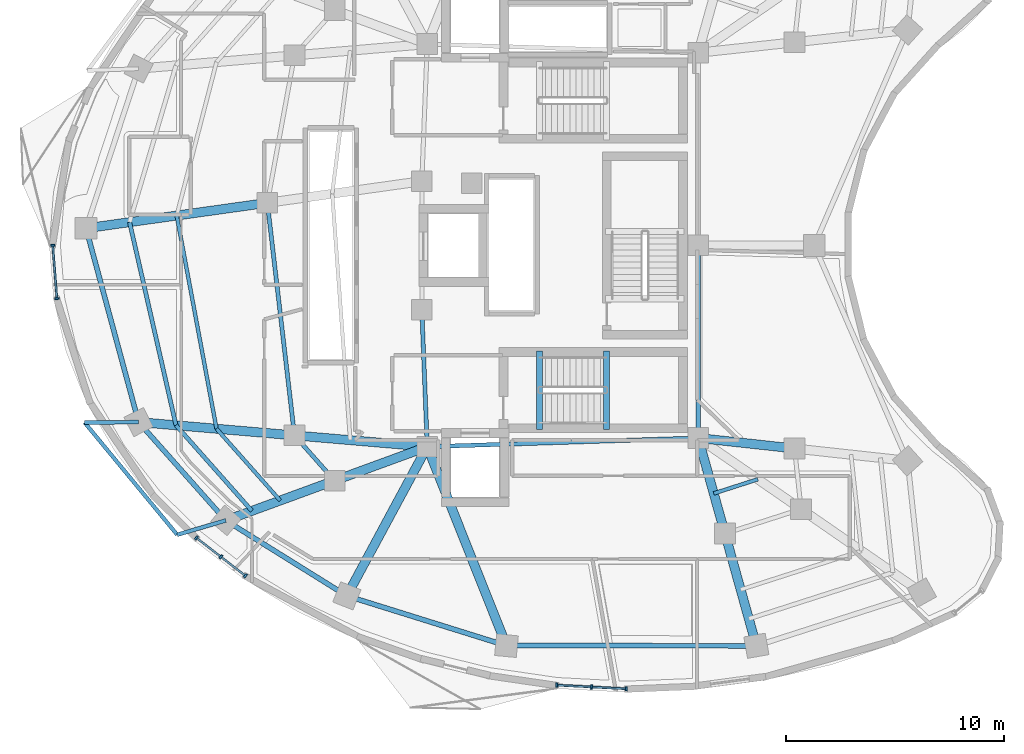
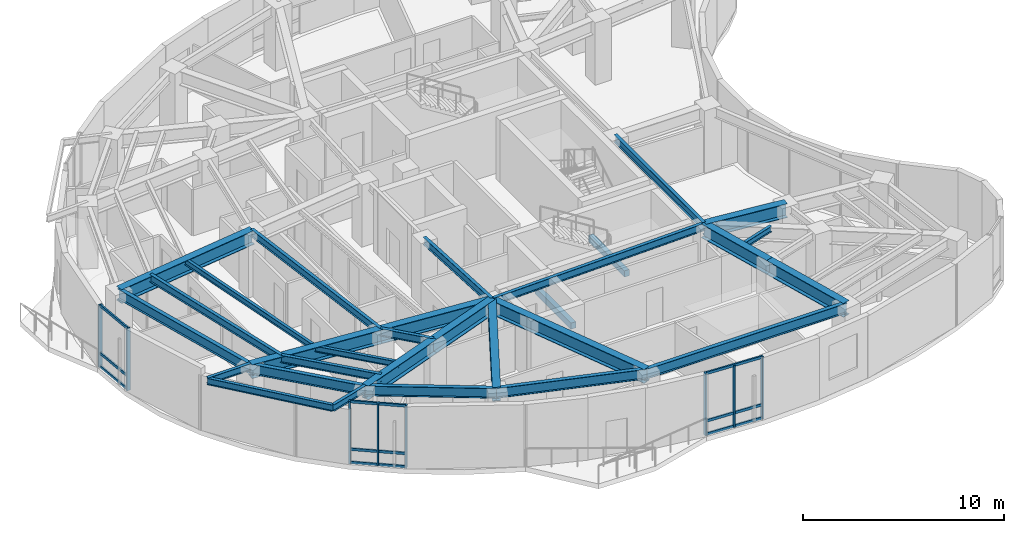
# One storey, part 2 of 13: 30 beams, 23 members, 3 elements without a shape of their own.
"""IFC4 building model written with IfcOpenShell, lengths in metres."""

import ifcopenshell
import ifcopenshell.guid

model = None  # the IFC model being written
_history = None  # IfcOwnerHistory: only IFC2X3 demands one
_inside = {}  # id of a spatial element -> (the spatial element, [elements in it])
_under = {}  # id of a project, library or spatial element -> (it, [spatial elements below it])
_declared = {}  # id of a project -> (the project, [libraries it declares])
_typed = {}  # id of a type object -> (the type object, [elements of that type])
_made_of = {}  # id of a material, layer set ... -> (it, [elements and type objects made of it])


def new_model(schema):
    """Start an empty IFC model of exactly this schema.

    Asked for "IFC4X3", IfcOpenShell would pick the latest addendum, in which some entities
    have other attributes; the version numbers below select the first issue.
    IFC2X3 requires an IfcOwnerHistory on every rooted entity: one is made here for all.
    """
    global model, _history
    if schema == "IFC4X3":
        model = ifcopenshell.file(schema_version=(4, 3, 0, 0))
    else:
        model = ifcopenshell.file(schema=schema)
    _inside.clear()
    _under.clear()
    _declared.clear()
    _typed.clear()
    _made_of.clear()
    _history = None
    if model.schema == "IFC2X3":
        org = make("IfcOrganization", Name="unknown")
        user = make(
            "IfcPersonAndOrganization",
            ThePerson=make("IfcPerson", FamilyName="unknown"),
            TheOrganization=org,
        )
        app = make(
            "IfcApplication",
            ApplicationDeveloper=org,
            Version="unknown",
            ApplicationFullName="unknown",
            ApplicationIdentifier="unknown",
        )
        _history = make(
            "IfcOwnerHistory",
            OwningUser=user,
            OwningApplication=app,
            ChangeAction="ADDED",
            CreationDate=0,
        )
    return model


def make(cls, **values):
    """One entity of the class cls with the attributes given. An attribute that is None is left unset."""
    return model.create_entity(
        cls, **{name: value for name, value in values.items() if value is not None}
    )


def rooted(cls, **values):
    """An entity with a GlobalId (a new one), such as an element, a storey or a relation."""
    return make(cls, GlobalId=ifcopenshell.guid.new(), OwnerHistory=_history, **values)


def si_unit(unit_type, name, prefix=None):
    """IfcSIUnit, for example si_unit("LENGTHUNIT", "METRE", prefix="MILLI")."""
    return make("IfcSIUnit", UnitType=unit_type, Prefix=prefix, Name=name)


def assignment(units):
    """IfcUnitAssignment: the units of a project."""
    return None if units is None else make("IfcUnitAssignment", Units=units)


def point(xyz):
    """IfcCartesianPoint."""
    return None if xyz is None else make("IfcCartesianPoint", Coordinates=xyz)


def direction(xyz):
    """IfcDirection."""
    return None if xyz is None else make("IfcDirection", DirectionRatios=xyz)


def frame(location, z_axis=None, x_axis=None):
    """IfcAxis2Placement3D, a coordinate frame: its origin and axes. An axis left out is left unset."""
    return make(
        "IfcAxis2Placement3D",
        Location=point(location),
        Axis=direction(z_axis),
        RefDirection=direction(x_axis),
    )


def frame_2d(location, x_axis=None):
    """IfcAxis2Placement2D, a coordinate frame in the plane: its origin and x axis."""
    return make(
        "IfcAxis2Placement2D", Location=point(location), RefDirection=direction(x_axis)
    )


def origin():
    """The frame at (0, 0, 0) with its axes left unset."""
    return frame((0.0, 0.0, 0.0))


def origin_2d():
    """The frame at (0, 0) in the plane with its x axis left unset."""
    return frame_2d((0.0, 0.0))


def place(relative_to, where):
    """IfcLocalPlacement: puts the frame where relative to a parent placement (None: the world)."""
    return make(
        "IfcLocalPlacement", PlacementRelTo=relative_to, RelativePlacement=where
    )


def context(
    kind, dimensions, precision=None, world=None, true_north=None, identifier=None
):
    """IfcGeometricRepresentationContext, for example the 3D "Model" context."""
    return make(
        "IfcGeometricRepresentationContext",
        ContextIdentifier=identifier,
        ContextType=kind,
        CoordinateSpaceDimension=dimensions,
        Precision=precision,
        WorldCoordinateSystem=world,
        TrueNorth=true_north,
    )


def subcontext(parent, identifier, kind, view, scale=None):
    """IfcGeometricRepresentationSubContext, for example "Body" below "Model"."""
    return make(
        "IfcGeometricRepresentationSubContext",
        ContextIdentifier=identifier,
        ContextType=kind,
        ParentContext=parent,
        TargetScale=scale,
        TargetView=view,
    )


def project(units=None, contexts=None):
    """IfcProject with its units and contexts."""
    return rooted(
        "IfcProject",
        Name="project",
        RepresentationContexts=contexts,
        UnitsInContext=assignment(units),
    )


def spatial(cls, under=None, at=None, **own):
    """A site, building, storey or space (cls), placed at a placement, below another one or the project."""
    s = rooted(cls, ObjectPlacement=at, **own)
    if under is not None:
        _under.setdefault(under.id(), (under, []))[1].append(s)
    return s


def profile(cls, at=None, kind="AREA", **sizes):
    """A parametric profile (cls). Its sizes go by their IFC names, for example OverallWidth=200.0."""
    return make(cls, ProfileType=kind, Position=at, **sizes)


def rectangle(**sizes):
    """IfcRectangleProfileDef."""
    return profile("IfcRectangleProfileDef", **sizes)


def i_section(**sizes):
    """IfcIShapeProfileDef."""
    return profile("IfcIShapeProfileDef", **sizes)


def extrude(swept, where, along, depth):
    """IfcExtrudedAreaSolid: the profile swept, set in the frame where, extruded along a direction by depth."""
    return make(
        "IfcExtrudedAreaSolid",
        SweptArea=swept,
        Position=where,
        ExtrudedDirection=direction(along),
        Depth=depth,
    )


def shape(context_of_items, identifier, shape_type, items):
    """IfcShapeRepresentation: the items that make up one representation, for example the "Body"."""
    return make(
        "IfcShapeRepresentation",
        ContextOfItems=context_of_items,
        RepresentationIdentifier=identifier,
        RepresentationType=shape_type,
        Items=items,
    )


def material(Name=None, Category=None):
    """IfcMaterial."""
    return make("IfcMaterial", Name=Name, Category=Category)


def layer(
    of_material, thickness, ventilated=None, Name=None, Category=None, Priority=None
):
    """IfcMaterialLayer: one layer of a wall or slab, of a material (None: an air gap)."""
    return make(
        "IfcMaterialLayer",
        Material=of_material,
        LayerThickness=thickness,
        IsVentilated=ventilated,
        Name=Name,
        Category=Category,
        Priority=Priority,
    )


def layer_set(layers, Name=None):
    """IfcMaterialLayerSet."""
    return make("IfcMaterialLayerSet", MaterialLayers=layers, LayerSetName=Name)


def material_profile(
    of_material, cross_section, Name=None, Category=None, Priority=None
):
    """IfcMaterialProfile: a cross section and its material."""
    return make(
        "IfcMaterialProfile",
        Name=Name,
        Material=of_material,
        Profile=cross_section,
        Priority=Priority,
        Category=Category,
    )


def profile_set(profiles, Name=None, composite=None):
    """IfcMaterialProfileSet."""
    return make(
        "IfcMaterialProfileSet",
        Name=Name,
        MaterialProfiles=profiles,
        CompositeProfile=composite,
    )


def made_of(thing, what):
    """Note that an element or type object is made of a material, layer set ...; save() writes the relation."""
    if what is not None:
        _made_of.setdefault(what.id(), (what, []))[1].append(thing)
    return thing


def type_object(cls, material=None, **own):
    """A type object (cls), such as IfcWallType, which elements share."""
    return made_of(rooted(cls, **own), material)


def element(
    cls,
    number,
    at=None,
    inside=None,
    cuts=None,
    type_object=None,
    material=None,
    context=None,
    identifier="Body",
    shape_type=None,
    held_by="IfcProductDefinitionShape",
    body=None,
    shapes=None,
    **own,
):
    """One element of the class cls, such as IfcWall. Its Tag is "e" and its number.

    at: its placement. inside: the storey or other place that contains it. cuts: it is an
    opening in that element (IfcRelVoidsElement). A single representation is given by context,
    identifier, shape_type and body (its items); several are given by shapes. held_by: the class
    of the entity that holds the representations. save() writes the other relations.
    """
    e = rooted(cls, Tag="e%d" % number, ObjectPlacement=at, **own)
    if body is not None:
        shapes = [shape(context, identifier, shape_type, body)]
    if shapes is not None:
        e.Representation = make(held_by, Representations=shapes)
    if inside is not None:
        _inside.setdefault(inside.id(), (inside, []))[1].append(e)
    if cuts is not None:
        rooted(
            "IfcRelVoidsElement", RelatingBuildingElement=cuts, RelatedOpeningElement=e
        )
    if type_object is not None:
        _typed.setdefault(type_object.id(), (type_object, []))[1].append(e)
    return made_of(e, material)


def aggregate(whole, parts):
    """IfcRelAggregates: a whole, such as a stair, and the parts it consists of."""
    return rooted("IfcRelAggregates", RelatingObject=whole, RelatedObjects=parts)


def save(model, path):
    """Write the relations noted so far, then the file.

    IfcRelAggregates (storeys below a building ...), IfcRelContainedInSpatialStructure (elements
    in a storey), IfcRelDefinesByType, IfcRelAssociatesMaterial and IfcRelDeclares: one each for
    every whole, place, type object, material and project.
    """
    for whole, parts in _under.values():
        aggregate(whole, parts)
    for where, things in _inside.values():
        rooted(
            "IfcRelContainedInSpatialStructure",
            RelatedElements=things,
            RelatingStructure=where,
        )
    for kind, things in _typed.values():
        rooted("IfcRelDefinesByType", RelatedObjects=things, RelatingType=kind)
    for what, things in _made_of.values():
        rooted("IfcRelAssociatesMaterial", RelatedObjects=things, RelatingMaterial=what)
    for by, libraries in _declared.values():
        rooted("IfcRelDeclares", RelatingContext=by, RelatedDefinitions=libraries)
    model.write(path)


model = new_model("IFC4")

# Units and contexts
model_context = context("Model", 3, precision=1e-05, world=origin(), true_north=direction((0.0, 1.0)))
body_context = subcontext(model_context, "Body", "Model", "MODEL_VIEW")
ifc_project = project(units=[si_unit("LENGTHUNIT", "METRE"), si_unit("AREAUNIT", "SQUARE_METRE"), si_unit("VOLUMEUNIT", "CUBIC_METRE"), si_unit("PLANEANGLEUNIT", "RADIAN"), si_unit("MASSUNIT", "GRAM", prefix="KILO")], contexts=[model_context])

# Site, building, storey
site_placement = place(None, origin())
site = spatial("IfcSite", under=ifc_project, at=site_placement, CompositionType="ELEMENT")
building_placement = place(site_placement, origin())
building = spatial("IfcBuilding", under=site, at=building_placement, Name="Korentha Bioscience Tower", CompositionType="ELEMENT")
storey_placement = place(building_placement, frame((0.0, 0.0, 162.60009765625)))
storey = spatial("IfcBuildingStorey", under=building, at=storey_placement, Name="L37", CompositionType="ELEMENT", Elevation=162.60009765625)

# Beams
ifc_material_1 = material(Name="Concrete C50", Category="concrete")
ifc_material_profile_1 = material_profile(ifc_material_1, rectangle(XDim=0.280029296875, YDim=0.3798828125, at=origin_2d()), Name="Concrete C50")
ifc_profile_set_1 = profile_set([ifc_material_profile_1], Name="Concrete C50 (ST-HB380)")
beam_type_1 = type_object("IfcBeamType", Name="Concrete Stair Header Beam RC 280x380", PredefinedType="BEAM", material=ifc_profile_set_1)
for number, where, z_axis, x_axis, name in (
    (1, (30.25, 18.550048828125, -0.190185546875), (0.0, 1.0, 0.0), (-1.0, 0.0, 0.0), "L37 ST-2 Concrete Stair Header Beam"),
    (2, (33.330078125, 18.550048828125, 1.909912109375), (0.0, 1.0, 0.0), (-1.0, 0.0, 0.0), "L37 ST-2 Half-Landing Header Beam 1"),
):
    element("IfcBeam", number, at=place(storey_placement, frame(where, z_axis=z_axis, x_axis=x_axis)), inside=storey, type_object=beam_type_1, Name=name, PredefinedType="BEAM", context=body_context, shape_type="SweptSolid", body=[
        extrude(rectangle(XDim=0.280029296875, YDim=0.3798828125, at=origin_2d()), origin(), (0.0, 0.0, 1.0), 3.599853515625),
    ])
ifc_material_2 = material(Name="Steel S355", Category="steel")
ifc_material_profile_2 = material_profile(ifc_material_2, i_section(OverallWidth=0.18994140625, OverallDepth=0.45703125, WebThickness=0.009033203125, FlangeThickness=0.014404296875, at=origin_2d()), Name="Steel S355")
ifc_profile_set_2 = profile_set([ifc_material_profile_2], Name="Steel S355 (MB-460)")
beam_type_2 = type_object("IfcBeamType", Name="Mid-Ring Tie Girder W460x74", PredefinedType="BEAM", material=ifc_profile_set_2)
beam_1_placement = place(storey_placement, frame((17.75341796875, 28.95458984375, 3.5615234375), z_axis=(0.115840395246, -0.993267840428, 0.0), x_axis=(0.993267840428, 0.115840395246, 0.0)))
element("IfcBeam", 3, at=beam_1_placement, inside=storey, type_object=beam_type_2, Name="L37 Mid-Ring Tie Girder 07", PredefinedType="BEAM", context=body_context, shape_type="SweptSolid", body=[
    extrude(i_section(OverallWidth=0.18994140625, OverallDepth=0.45703125, WebThickness=0.009033203125, FlangeThickness=0.014404296875, at=origin_2d()), origin(), (0.0, 0.0, 1.0), 10.757080078125),
])
beam_2_placement = place(storey_placement, frame((18.99951171875, 18.27001953125, 3.5615234375), z_axis=(0.663512238321, -0.748165429299, 0.0), x_axis=(0.748165429299, 0.663512238321, 0.0)))
element("IfcBeam", 4, at=beam_2_placement, inside=storey, type_object=beam_type_2, Name="L37 Mid-Ring Tie Girder 08", PredefinedType="BEAM", context=body_context, shape_type="SweptSolid", body=[
    extrude(i_section(OverallWidth=0.18994140625, OverallDepth=0.45703125, WebThickness=0.009033203125, FlangeThickness=0.014404296875, at=origin_2d()), origin(), (0.0, 0.0, 1.0), 2.77734375),
])
beam_3_placement = place(storey_placement, frame((24.85009765625, 24.050048828125, 3.5615234375), z_axis=(0.039651025576, -0.999213588864, 0.0), x_axis=(0.999213588864, 0.039651025576, 0.0)))
element("IfcBeam", 5, at=beam_3_placement, inside=storey, type_object=beam_type_2, Name="L37 Core Ring Tie Girder 04", PredefinedType="BEAM", context=body_context, shape_type="SweptSolid", body=[
    extrude(i_section(OverallWidth=0.18994140625, OverallDepth=0.45703125, WebThickness=0.009033203125, FlangeThickness=0.014404296875, at=origin_2d()), origin(), (0.0, 0.0, 1.0), 6.304931640625),
])
beam_4_placement = place(storey_placement, frame((25.10009765625, 17.75, 3.5615234375), z_axis=(0.999484526071, 0.032104238723, 0.0), x_axis=(-0.032104238723, 0.999484526071, 0.0)))
element("IfcBeam", 6, at=beam_4_placement, inside=storey, type_object=beam_type_2, Name="L37 Core Ring Tie Girder 05", PredefinedType="BEAM", context=body_context, shape_type="SweptSolid", body=[
    extrude(i_section(OverallWidth=0.18994140625, OverallDepth=0.45703125, WebThickness=0.009033203125, FlangeThickness=0.014404296875, at=origin_2d()), origin(), (0.0, 0.0, 1.0), 12.456298828125),
])
beam_5_placement = place(storey_placement, frame((37.550048828125, 18.14990234375, 3.5615234375), z_axis=(0.0, 1.0, 0.0), x_axis=(-1.0, 0.0, 0.0)))
element("IfcBeam", 7, at=beam_5_placement, inside=storey, type_object=beam_type_2, Name="L37 Core Ring Tie Girder 06", PredefinedType="BEAM", context=body_context, shape_type="SweptSolid", body=[
    extrude(i_section(OverallWidth=0.18994140625, OverallDepth=0.45703125, WebThickness=0.009033203125, FlangeThickness=0.014404296875, at=origin_2d()), origin(), (0.0, 0.0, 1.0), 8.85009765625),
])

# Curtain wall, members
ifc_material_3 = material(Name="Thermally Broken Aluminium Frame", Category="aluminium")
ifc_layer = layer(ifc_material_3, 0.219970703125, Name="Thermally Broken Aluminium Frame")
ifc_layer_set = layer_set([ifc_layer], Name="Thermally Broken Aluminium Frame (CW-T1)")
curtain_wall_type = type_object("IfcCurtainWallType", Name="Standard Bioscience Lab Unitised Curtain Wall CW-T1", PredefinedType="USERDEFINED", material=ifc_layer_set)
curtain_wall_1_placement = place(storey_placement, origin())
curtain_wall_1 = element("IfcCurtainWall", 8, at=curtain_wall_1_placement, inside=storey, type_object=curtain_wall_type, Name="L37 Curtain Wall 19", ObjectType="UNITISED", PredefinedType="USERDEFINED")
ifc_material_4 = material(Name="Anodised Aluminium 6063-T6", Category="aluminium")
ifc_material_profile_3 = material_profile(ifc_material_4, rectangle(XDim=0.090087890625, YDim=0.199951171875, at=origin_2d()), Name="Anodised Aluminium 6063-T6")
ifc_profile_set_3 = profile_set([ifc_material_profile_3], Name="Anodised Aluminium 6063-T6 (CW-MUL)")
member_type_1 = type_object("IfcMemberType", Name="Mullion RECT 90x200", PredefinedType="MULLION", material=ifc_profile_set_3)
member_1_placement = place(storey_placement, frame((7.89599609375, 27.007568359375, 0.0), z_axis=(0.0, 0.0, 1.0), x_axis=(0.078030772566, -0.996950950916, 0.0)))
member_1 = element("IfcMember", 9, at=member_1_placement, type_object=member_type_1, Name="CW-L37-19 Mullion 1", PredefinedType="MULLION", context=body_context, shape_type="SweptSolid", body=[
    extrude(rectangle(XDim=0.090087890625, YDim=0.199951171875, at=origin_2d()), origin(), (0.0, 0.0, 1.0), 3.789794921875),
])
member_2_placement = place(storey_placement, frame((8.087890625, 24.5546875, 0.0), z_axis=(0.0, 0.0, 1.0), x_axis=(0.078030772566, -0.996950950916, 0.0)))
member_2 = element("IfcMember", 10, at=member_2_placement, type_object=member_type_1, Name="CW-L37-19 Mullion 2", PredefinedType="MULLION", context=body_context, shape_type="SweptSolid", body=[
    extrude(rectangle(XDim=0.090087890625, YDim=0.199951171875, at=origin_2d()), origin(), (0.0, 0.0, 1.0), 3.789794921875),
])

curtain_wall_2_placement = place(storey_placement, origin())
curtain_wall_2 = element("IfcCurtainWall", 11, at=curtain_wall_2_placement, inside=storey, type_object=curtain_wall_type, Name="L37 Curtain Wall 25", ObjectType="UNITISED", PredefinedType="USERDEFINED")
member_3_placement = place(storey_placement, frame((14.492431640625, 13.563232421875, 0.0), z_axis=(0.0, 0.0, 1.0), x_axis=(0.790546796919, -0.612401634454, 0.0)))
member_3 = element("IfcMember", 12, at=member_3_placement, type_object=member_type_1, Name="CW-L37-25 Mullion 1", PredefinedType="MULLION", context=body_context, shape_type="SweptSolid", body=[
    extrude(rectangle(XDim=0.090087890625, YDim=0.199951171875, at=origin_2d()), origin(), (0.0, 0.0, 1.0), 3.789794921875),
])
member_4_placement = place(storey_placement, frame((15.618896484375, 12.690673828125, 0.0), z_axis=(0.0, 0.0, 1.0), x_axis=(0.790546796919, -0.612401634454, 0.0)))
member_4 = element("IfcMember", 13, at=member_4_placement, type_object=member_type_1, Name="CW-L37-25 Mullion 2", PredefinedType="MULLION", context=body_context, shape_type="SweptSolid", body=[
    extrude(rectangle(XDim=0.090087890625, YDim=0.199951171875, at=origin_2d()), origin(), (0.0, 0.0, 1.0), 3.789794921875),
])
member_5_placement = place(storey_placement, frame((16.745361328125, 11.818115234375, 0.0), z_axis=(0.0, 0.0, 1.0), x_axis=(0.790546796919, -0.612401634454, 0.0)))
member_5 = element("IfcMember", 14, at=member_5_placement, type_object=member_type_1, Name="CW-L37-25 Mullion 3", PredefinedType="MULLION", context=body_context, shape_type="SweptSolid", body=[
    extrude(rectangle(XDim=0.090087890625, YDim=0.199951171875, at=origin_2d()), origin(), (0.0, 0.0, 1.0), 3.789794921875),
])

curtain_wall_3_placement = place(storey_placement, origin())
curtain_wall_3 = element("IfcCurtainWall", 15, at=curtain_wall_3_placement, inside=storey, type_object=curtain_wall_type, Name="L37 Curtain Wall 31", ObjectType="UNITISED", PredefinedType="USERDEFINED")
member_6_placement = place(storey_placement, frame((31.0517578125, 6.79541015625, 0.0), z_axis=(0.0, 0.0, 1.0), x_axis=(0.998637677307, -0.052180355139, 0.0)))
member_6 = element("IfcMember", 16, at=member_6_placement, type_object=member_type_1, Name="CW-L37-31 Mullion 1", PredefinedType="MULLION", context=body_context, shape_type="SweptSolid", body=[
    extrude(rectangle(XDim=0.090087890625, YDim=0.199951171875, at=origin_2d()), origin(), (0.0, 0.0, 1.0), 3.789794921875),
])
member_7_placement = place(storey_placement, frame((32.64794921875, 6.7119140625, 0.0), z_axis=(0.0, 0.0, 1.0), x_axis=(0.998637677307, -0.052180355139, 0.0)))
member_7 = element("IfcMember", 17, at=member_7_placement, type_object=member_type_1, Name="CW-L37-31 Mullion 2", PredefinedType="MULLION", context=body_context, shape_type="SweptSolid", body=[
    extrude(rectangle(XDim=0.090087890625, YDim=0.199951171875, at=origin_2d()), origin(), (0.0, 0.0, 1.0), 3.789794921875),
])
member_8_placement = place(storey_placement, frame((34.244140625, 6.628662109375, 0.0), z_axis=(0.0, 0.0, 1.0), x_axis=(0.998637677307, -0.052180355139, 0.0)))
member_8 = element("IfcMember", 18, at=member_8_placement, type_object=member_type_1, Name="CW-L37-31 Mullion 3", PredefinedType="MULLION", context=body_context, shape_type="SweptSolid", body=[
    extrude(rectangle(XDim=0.090087890625, YDim=0.199951171875, at=origin_2d()), origin(), (0.0, 0.0, 1.0), 3.789794921875),
])

# Beams
ifc_material_profile_4 = material_profile(ifc_material_2, i_section(OverallWidth=0.22802734375, OverallDepth=0.60791015625, WebThickness=0.01123046875, FlangeThickness=0.017333984375, at=origin_2d()), Name="Steel S355")
ifc_profile_set_4 = profile_set([ifc_material_profile_4], Name="Steel S355 (SB-610)")
beam_type_3 = type_object("IfcBeamType", Name="Perimeter Ring Spandrel Girder W610x113", PredefinedType="SPANDREL", material=ifc_profile_set_4)
beam_6_placement = place(storey_placement, frame((9.422607421875, 27.785888671875, 3.48583984375), z_axis=(0.261762629829, -0.965132284003, 0.0), x_axis=(0.965132284003, 0.261762629829, 0.0)))
element("IfcBeam", 19, at=beam_6_placement, inside=storey, type_object=beam_type_3, Name="L37 Perimeter Spandrel Girder 07", PredefinedType="SPANDREL", context=body_context, shape_type="SweptSolid", body=[
    extrude(i_section(OverallWidth=0.22802734375, OverallDepth=0.60791015625, WebThickness=0.01123046875, FlangeThickness=0.017333984375, at=origin_2d()), origin(), (0.0, 0.0, 1.0), 9.22705078125),
])
beam_7_placement = place(storey_placement, frame((11.837890625, 18.880615234375, 3.48583984375), z_axis=(0.663502544942, -0.748174025782, 0.0), x_axis=(0.748174025782, 0.663502544942, 0.0)))
element("IfcBeam", 20, at=beam_7_placement, inside=storey, type_object=beam_type_3, Name="L37 Perimeter Spandrel Girder 08", PredefinedType="SPANDREL", context=body_context, shape_type="SweptSolid", body=[
    extrude(i_section(OverallWidth=0.22802734375, OverallDepth=0.60791015625, WebThickness=0.01123046875, FlangeThickness=0.017333984375, at=origin_2d()), origin(), (0.0, 0.0, 1.0), 6.037841796875),
])
beam_8_placement = place(storey_placement, frame((15.843994140625, 14.36328125, 3.48583984375), z_axis=(0.848675740059, -0.528913497876, 0.0), x_axis=(0.528913497876, 0.848675740059, 0.0)))
element("IfcBeam", 21, at=beam_8_placement, inside=storey, type_object=beam_type_3, Name="L37 Perimeter Spandrel Girder 09", PredefinedType="SPANDREL", context=body_context, shape_type="SweptSolid", body=[
    extrude(i_section(OverallWidth=0.22802734375, OverallDepth=0.60791015625, WebThickness=0.01123046875, FlangeThickness=0.017333984375, at=origin_2d()), origin(), (0.0, 0.0, 1.0), 6.55322265625),
])
beam_9_placement = place(storey_placement, frame((21.405517578125, 10.897216796875, 3.48583984375), z_axis=(0.954638172607, -0.29776829818, 0.0), x_axis=(0.29776829818, 0.954638172607, 0.0)))
element("IfcBeam", 22, at=beam_9_placement, inside=storey, type_object=beam_type_3, Name="L37 Perimeter Spandrel Girder 10", PredefinedType="SPANDREL", context=body_context, shape_type="SweptSolid", body=[
    extrude(i_section(OverallWidth=0.22802734375, OverallDepth=0.60791015625, WebThickness=0.01123046875, FlangeThickness=0.017333984375, at=origin_2d()), origin(), (0.0, 0.0, 1.0), 7.682373046875),
])
beam_10_placement = place(storey_placement, frame((28.739501953125, 8.609619140625, 3.48583984375), z_axis=(0.99999988041, -0.000489059883, 0.0), x_axis=(0.000489059883, 0.99999988041, 0.0)))
element("IfcBeam", 23, at=beam_10_placement, inside=storey, type_object=beam_type_3, Name="L37 Perimeter Spandrel Girder 11", PredefinedType="SPANDREL", context=body_context, shape_type="SweptSolid", body=[
    extrude(i_section(OverallWidth=0.22802734375, OverallDepth=0.60791015625, WebThickness=0.01123046875, FlangeThickness=0.017333984375, at=origin_2d()), origin(), (0.0, 0.0, 1.0), 11.481689453125),
])
ifc_material_profile_5 = material_profile(ifc_material_2, i_section(OverallWidth=0.419921875, OverallDepth=0.85009765625, WebThickness=0.01806640625, FlangeThickness=0.031982421875, at=origin_2d()), Name="Steel S355")
ifc_profile_set_5 = profile_set([ifc_material_profile_5], Name="Steel S355 (MB-850)")
beam_type_4 = type_object("IfcBeamType", Name="Plant Heavy Girder CVS 850x315", PredefinedType="BEAM", material=ifc_profile_set_5)
beam_11_placement = place(storey_placement, frame((17.75341796875, 28.95458984375, 3.364990234375), z_axis=(-0.990302735089, -0.138926213782, 0.0), x_axis=(0.138926213782, -0.990302735089, 0.0)))
element("IfcBeam", 24, at=beam_11_placement, inside=storey, type_object=beam_type_4, Name="L37 Outer Radial Girder 07", PredefinedType="BEAM", context=body_context, shape_type="SweptSolid", body=[
    extrude(i_section(OverallWidth=0.419921875, OverallDepth=0.85009765625, WebThickness=0.01806640625, FlangeThickness=0.031982421875, at=origin_2d()), origin(), (0.0, 0.0, 1.0), 8.412353515625),
])
beam_12_placement = place(storey_placement, frame((25.10009765625, 17.75, 3.364990234375), z_axis=(-0.996386672138, 0.084932912264, 0.0), x_axis=(-0.084932912264, -0.996386672138, 0.0)))
element("IfcBeam", 25, at=beam_12_placement, inside=storey, type_object=beam_type_4, Name="L37 Inner Radial Girder 08", PredefinedType="BEAM", context=body_context, shape_type="SweptSolid", body=[
    extrude(i_section(OverallWidth=0.419921875, OverallDepth=0.85009765625, WebThickness=0.01806640625, FlangeThickness=0.031982421875, at=origin_2d()), origin(), (0.0, 0.0, 1.0), 6.122802734375),
])
beam_13_placement = place(storey_placement, frame((18.99951171875, 18.27001953125, 3.364990234375), z_axis=(-0.996385111181, 0.084951222577, 0.0), x_axis=(-0.084951222577, -0.996385111181, 0.0)))
element("IfcBeam", 26, at=beam_13_placement, inside=storey, type_object=beam_type_4, Name="L37 Outer Radial Girder 08", PredefinedType="BEAM", context=body_context, shape_type="SweptSolid", body=[
    extrude(i_section(OverallWidth=0.419921875, OverallDepth=0.85009765625, WebThickness=0.01806640625, FlangeThickness=0.031982421875, at=origin_2d()), origin(), (0.0, 0.0, 1.0), 7.1875),
])
beam_14_placement = place(storey_placement, frame((25.10009765625, 17.75, 3.364990234375), z_axis=(-0.939113952431, -0.343605856105, 0.0), x_axis=(0.343605856105, -0.939113952431, 0.0)))
element("IfcBeam", 27, at=beam_14_placement, inside=storey, type_object=beam_type_4, Name="L37 Inner Radial Girder 09", PredefinedType="BEAM", context=body_context, shape_type="SweptSolid", body=[
    extrude(i_section(OverallWidth=0.419921875, OverallDepth=0.85009765625, WebThickness=0.01806640625, FlangeThickness=0.031982421875, at=origin_2d()), origin(), (0.0, 0.0, 1.0), 4.533935546875),
])
beam_15_placement = place(storey_placement, frame((20.84228515625, 16.192138671875, 3.364990234375), z_axis=(-0.939109855566, -0.343617053097, 0.0), x_axis=(0.343617053097, -0.939109855566, 0.0)))
element("IfcBeam", 28, at=beam_15_placement, inside=storey, type_object=beam_type_4, Name="L37 Outer Radial Girder 09", PredefinedType="BEAM", context=body_context, shape_type="SweptSolid", body=[
    extrude(i_section(OverallWidth=0.419921875, OverallDepth=0.85009765625, WebThickness=0.01806640625, FlangeThickness=0.031982421875, at=origin_2d()), origin(), (0.0, 0.0, 1.0), 5.322265625),
])
beam_16_placement = place(storey_placement, frame((25.10009765625, 17.75, 3.364990234375), z_axis=(-0.474559790141, -0.880223270302, 0.0), x_axis=(0.880223270302, -0.474559790141, 0.0)))
element("IfcBeam", 29, at=beam_16_placement, inside=storey, type_object=beam_type_4, Name="L37 Radial Girder 10", PredefinedType="BEAM", context=body_context, shape_type="SweptSolid", body=[
    extrude(i_section(OverallWidth=0.419921875, OverallDepth=0.85009765625, WebThickness=0.01806640625, FlangeThickness=0.031982421875, at=origin_2d()), origin(), (0.0, 0.0, 1.0), 7.785400390625),
])
beam_17_placement = place(storey_placement, frame((25.10009765625, 17.75, 3.364990234375), z_axis=(0.369922682955, -0.929062542909, 0.0), x_axis=(0.929062542909, 0.369922682955, 0.0)))
element("IfcBeam", 30, at=beam_17_placement, inside=storey, type_object=beam_type_4, Name="L37 Radial Girder 11", PredefinedType="BEAM", context=body_context, shape_type="SweptSolid", body=[
    extrude(i_section(OverallWidth=0.419921875, OverallDepth=0.85009765625, WebThickness=0.01806640625, FlangeThickness=0.031982421875, at=origin_2d()), origin(), (0.0, 0.0, 1.0), 9.83837890625),
])
beam_18_placement = place(storey_placement, frame((37.550048828125, 18.14990234375, 3.364990234375), z_axis=(0.269477001654, -0.963006825303, 0.0), x_axis=(0.963006825303, 0.269477001654, 0.0)))
element("IfcBeam", 31, at=beam_18_placement, inside=storey, type_object=beam_type_4, Name="L37 Inner Radial Girder 12", PredefinedType="BEAM", context=body_context, shape_type="SweptSolid", body=[
    extrude(i_section(OverallWidth=0.419921875, OverallDepth=0.85009765625, WebThickness=0.01806640625, FlangeThickness=0.031982421875, at=origin_2d()), origin(), (0.0, 0.0, 1.0), 4.559814453125),
])
beam_19_placement = place(storey_placement, frame((38.77880859375, 13.7587890625, 3.364990234375), z_axis=(0.269464128344, -0.963010427532, 0.0), x_axis=(0.963010427532, 0.269464128344, 0.0)))
element("IfcBeam", 32, at=beam_19_placement, inside=storey, type_object=beam_type_4, Name="L37 Outer Radial Girder 12", PredefinedType="BEAM", context=body_context, shape_type="SweptSolid", body=[
    extrude(i_section(OverallWidth=0.419921875, OverallDepth=0.85009765625, WebThickness=0.01806640625, FlangeThickness=0.031982421875, at=origin_2d()), origin(), (0.0, 0.0, 1.0), 5.352783203125),
])
beam_20_placement = place(storey_placement, frame((37.550048828125, 18.14990234375, 3.364990234375), z_axis=(0.994118939953, -0.108293735857, 0.0), x_axis=(0.108293735857, 0.994118939953, 0.0)))
element("IfcBeam", 33, at=beam_20_placement, inside=storey, type_object=beam_type_4, Name="L37 Inner Radial Girder 14", PredefinedType="BEAM", context=body_context, shape_type="SweptSolid", body=[
    extrude(i_section(OverallWidth=0.419921875, OverallDepth=0.85009765625, WebThickness=0.01806640625, FlangeThickness=0.031982421875, at=origin_2d()), origin(), (0.0, 0.0, 1.0), 4.4501953125),
])
ifc_material_profile_6 = material_profile(ifc_material_2, i_section(OverallWidth=0.18994140625, OverallDepth=0.45703125, WebThickness=0.009033203125, FlangeThickness=0.014404296875, at=origin_2d()), Name="Steel S355")
ifc_profile_set_6 = profile_set([ifc_material_profile_6], Name="Steel S355 (RB-460)")
beam_type_5 = type_object("IfcBeamType", Name="Radial Laboratory Beam W460x74", PredefinedType="BEAM", material=ifc_profile_set_6)
beam_21_placement = place(storey_placement, frame((11.421875, 28.06640625, 3.5615234375), z_axis=(0.222990987745, -0.974820506239, 0.0), x_axis=(0.974820506239, 0.222990987745, 0.0)))
element("IfcBeam", 34, at=beam_21_placement, inside=storey, type_object=beam_type_5, Name="L37 Secondary Floor Beam JSTO-07", PredefinedType="BEAM", context=body_context, shape_type="SweptSolid", body=[
    extrude(i_section(OverallWidth=0.18994140625, OverallDepth=0.45703125, WebThickness=0.009033203125, FlangeThickness=0.014404296875, at=origin_2d()), origin(), (0.0, 0.0, 1.0), 9.5732421875),
])
beam_22_placement = place(storey_placement, frame((13.556640625, 18.734130859375, 3.5615234375), z_axis=(0.663495511182, -0.748180263467, 0.0), x_axis=(0.748180263467, 0.663495511182, 0.0)))
element("IfcBeam", 35, at=beam_22_placement, inside=storey, type_object=beam_type_5, Name="L37 Secondary Floor Beam JSTO-08", PredefinedType="BEAM", context=body_context, shape_type="SweptSolid", body=[
    extrude(i_section(OverallWidth=0.18994140625, OverallDepth=0.45703125, WebThickness=0.009033203125, FlangeThickness=0.014404296875, at=origin_2d()), origin(), (0.0, 0.0, 1.0), 5.255615234375),
])
ifc_material_profile_7 = material_profile(ifc_material_2, i_section(OverallWidth=0.1708984375, OverallDepth=0.35498046875, WebThickness=0.007080078125, FlangeThickness=0.01171875, at=origin_2d()), Name="Steel S355")
ifc_profile_set_7 = profile_set([ifc_material_profile_7], Name="Steel S355 (JB-360)")
beam_type_6 = type_object("IfcBeamType", Name="Secondary Laboratory Joist W360x51", PredefinedType="JOIST", material=ifc_profile_set_7)
beam_23_placement = place(storey_placement, frame((13.587890625, 28.3701171875, 3.6123046875), z_axis=(0.183736713841, -0.982975493076, 0.0), x_axis=(0.982975493076, 0.183736713841, 0.0)))
element("IfcBeam", 36, at=beam_23_placement, inside=storey, type_object=beam_type_6, Name="L37 Secondary Floor Beam JST-07", PredefinedType="JOIST", context=body_context, shape_type="SweptSolid", body=[
    extrude(i_section(OverallWidth=0.1708984375, OverallDepth=0.35498046875, WebThickness=0.007080078125, FlangeThickness=0.01171875, at=origin_2d()), origin(), (0.0, 0.0, 1.0), 9.96435546875),
])
beam_24_placement = place(storey_placement, frame((15.418701171875, 18.575439453125, 3.6123046875), z_axis=(0.663462598754, -0.748209449322, 0.0), x_axis=(0.748209449322, 0.663462598754, 0.0)))
element("IfcBeam", 37, at=beam_24_placement, inside=storey, type_object=beam_type_6, Name="L37 Secondary Floor Beam JST-08", PredefinedType="JOIST", context=body_context, shape_type="SweptSolid", body=[
    extrude(i_section(OverallWidth=0.1708984375, OverallDepth=0.35498046875, WebThickness=0.007080078125, FlangeThickness=0.01171875, at=origin_2d()), origin(), (0.0, 0.0, 1.0), 4.40771484375),
])
beam_25_placement = place(storey_placement, frame((38.2626953125, 15.60302734375, 3.6123046875), z_axis=(0.952010669267, 0.306064838885, 0.0), x_axis=(-0.306064838885, 0.952010669267, 0.0)))
element("IfcBeam", 38, at=beam_25_placement, inside=storey, type_object=beam_type_6, Name="L37 Inner Bay Joist 12", PredefinedType="JOIST", context=body_context, shape_type="SweptSolid", body=[
    extrude(i_section(OverallWidth=0.1708984375, OverallDepth=0.35498046875, WebThickness=0.007080078125, FlangeThickness=0.01171875, at=origin_2d()), origin(), (0.0, 0.0, 1.0), 2.1298828125),
])
ifc_material_profile_8 = material_profile(ifc_material_2, i_section(OverallWidth=0.177978515625, OverallDepth=0.406982421875, WebThickness=0.0078125, FlangeThickness=0.0126953125, at=origin_2d()), Name="Steel S355")
ifc_profile_set_8 = profile_set([ifc_material_profile_8], Name="Steel S355 (CB-410)")
beam_type_7 = type_object("IfcBeamType", Name="Sun-Ledge Cantilever Beam W410x60", PredefinedType="BEAM", material=ifc_profile_set_8)
beam_26_placement = place(storey_placement, frame((11.837890625, 18.880615234375, 3.58837890625), z_axis=(-0.999964128068, -0.008470098987, 0.0), x_axis=(0.008470098987, -0.999964128068, 0.0)))
element("IfcBeam", 39, at=beam_26_placement, inside=storey, type_object=beam_type_7, Name="L37 Balcony Cantilever Bracket A-L38-03", PredefinedType="BEAM", context=body_context, shape_type="SweptSolid", body=[
    extrude(i_section(OverallWidth=0.177978515625, OverallDepth=0.406982421875, WebThickness=0.0078125, FlangeThickness=0.0126953125, at=origin_2d()), origin(), (0.0, 0.0, 1.0), 2.478759765625),
])
beam_27_placement = place(storey_placement, frame((15.843994140625, 14.36328125, 3.58837890625), z_axis=(-0.958961977377, -0.283534699721, 0.0), x_axis=(0.283534699721, -0.958961977377, 0.0)))
element("IfcBeam", 40, at=beam_27_placement, inside=storey, type_object=beam_type_7, Name="L37 Balcony Cantilever Bracket B-L38-03", PredefinedType="BEAM", context=body_context, shape_type="SweptSolid", body=[
    extrude(i_section(OverallWidth=0.177978515625, OverallDepth=0.406982421875, WebThickness=0.0078125, FlangeThickness=0.0126953125, at=origin_2d()), origin(), (0.0, 0.0, 1.0), 2.327392578125),
])
beam_28_placement = place(storey_placement, frame((9.359130859375, 18.859619140625, 3.58837890625), z_axis=(0.63629601464, -0.771444995935, 0.0), x_axis=(0.771444995935, 0.63629601464, 0.0)))
element("IfcBeam", 41, at=beam_28_placement, inside=storey, type_object=beam_type_7, Name="L37 Balcony Edge Trimmer Beam L38-03", PredefinedType="BEAM", context=body_context, shape_type="SweptSolid", body=[
    extrude(i_section(OverallWidth=0.177978515625, OverallDepth=0.406982421875, WebThickness=0.0078125, FlangeThickness=0.0126953125, at=origin_2d()), origin(), (0.0, 0.0, 1.0), 6.683837890625),
])

# Member
ifc_material_profile_9 = material_profile(ifc_material_4, rectangle(XDim=0.090087890625, YDim=0.159912109375, at=origin_2d()), Name="Anodised Aluminium 6063-T6")
ifc_profile_set_9 = profile_set([ifc_material_profile_9], Name="Anodised Aluminium 6063-T6 (CW-TRN)")
member_type_2 = type_object("IfcMemberType", Name="Transom RECT 90x160", PredefinedType="USERDEFINED", material=ifc_profile_set_9)
member_9_placement = place(storey_placement, frame((7.8994140625, 26.962646484375, 0.044921875), z_axis=(0.078074822466, -0.996947502177, 0.0), x_axis=(0.996947502177, 0.078074822466, 0.0)))
member_9 = element("IfcMember", 42, at=member_9_placement, type_object=member_type_2, Name="CW-L37-19 Bay 1 Transom 1", ObjectType="TRANSOM", PredefinedType="USERDEFINED", context=body_context, shape_type="SweptSolid", body=[
    extrude(rectangle(XDim=0.090087890625, YDim=0.159912109375, at=origin_2d()), origin(), (0.0, 0.0, 1.0), 2.370361328125),
])

member_10_placement = place(storey_placement, frame((7.8994140625, 26.962646484375, 0.849853515625), z_axis=(0.078074822466, -0.996947502177, 0.0), x_axis=(0.996947502177, 0.078074822466, 0.0)))
member_10 = element("IfcMember", 43, at=member_10_placement, type_object=member_type_2, Name="CW-L37-19 Bay 1 Transom 2", ObjectType="TRANSOM", PredefinedType="USERDEFINED", context=body_context, shape_type="SweptSolid", body=[
    extrude(rectangle(XDim=0.090087890625, YDim=0.159912109375, at=origin_2d()), origin(), (0.0, 0.0, 1.0), 2.370361328125),
])

member_11_placement = place(storey_placement, frame((7.8994140625, 26.962646484375, 3.744873046875), z_axis=(0.078074822466, -0.996947502177, 0.0), x_axis=(0.996947502177, 0.078074822466, 0.0)))
member_11 = element("IfcMember", 44, at=member_11_placement, type_object=member_type_2, Name="CW-L37-19 Bay 1 Transom 3", ObjectType="TRANSOM", PredefinedType="USERDEFINED", context=body_context, shape_type="SweptSolid", body=[
    extrude(rectangle(XDim=0.090087890625, YDim=0.159912109375, at=origin_2d()), origin(), (0.0, 0.0, 1.0), 2.370361328125),
])

aggregate(curtain_wall_1, [member_1, member_2, member_9, member_10, member_11])

member_12_placement = place(storey_placement, frame((14.528076171875, 13.535888671875, 0.044921875), z_axis=(0.790463754503, -0.612508818563, 0.0), x_axis=(0.612508818563, 0.790463754503, 0.0)))
member_12 = element("IfcMember", 45, at=member_12_placement, type_object=member_type_2, Name="CW-L37-25 Bay 1 Transom 1", ObjectType="TRANSOM", PredefinedType="USERDEFINED", context=body_context, shape_type="SweptSolid", body=[
    extrude(rectangle(XDim=0.090087890625, YDim=0.159912109375, at=origin_2d()), origin(), (0.0, 0.0, 1.0), 1.3349609375),
])

member_13_placement = place(storey_placement, frame((14.528076171875, 13.535888671875, 0.849853515625), z_axis=(0.790463754503, -0.612508818563, 0.0), x_axis=(0.612508818563, 0.790463754503, 0.0)))
member_13 = element("IfcMember", 46, at=member_13_placement, type_object=member_type_2, Name="CW-L37-25 Bay 1 Transom 2", ObjectType="TRANSOM", PredefinedType="USERDEFINED", context=body_context, shape_type="SweptSolid", body=[
    extrude(rectangle(XDim=0.090087890625, YDim=0.159912109375, at=origin_2d()), origin(), (0.0, 0.0, 1.0), 1.3349609375),
])

member_14_placement = place(storey_placement, frame((14.528076171875, 13.535888671875, 3.744873046875), z_axis=(0.790463754503, -0.612508818563, 0.0), x_axis=(0.612508818563, 0.790463754503, 0.0)))
member_14 = element("IfcMember", 47, at=member_14_placement, type_object=member_type_2, Name="CW-L37-25 Bay 1 Transom 3", ObjectType="TRANSOM", PredefinedType="USERDEFINED", context=body_context, shape_type="SweptSolid", body=[
    extrude(rectangle(XDim=0.090087890625, YDim=0.159912109375, at=origin_2d()), origin(), (0.0, 0.0, 1.0), 1.3349609375),
])

member_15_placement = place(storey_placement, frame((15.654541015625, 12.6630859375, 0.044921875), z_axis=(0.79055230676, -0.612394521756, 0.0), x_axis=(0.612394521756, 0.79055230676, 0.0)))
member_15 = element("IfcMember", 48, at=member_15_placement, type_object=member_type_2, Name="CW-L37-25 Bay 2 Transom 1", ObjectType="TRANSOM", PredefinedType="USERDEFINED", context=body_context, shape_type="SweptSolid", body=[
    extrude(rectangle(XDim=0.090087890625, YDim=0.159912109375, at=origin_2d()), origin(), (0.0, 0.0, 1.0), 1.334716796875),
])

member_16_placement = place(storey_placement, frame((15.654541015625, 12.6630859375, 0.849853515625), z_axis=(0.79055230676, -0.612394521756, 0.0), x_axis=(0.612394521756, 0.79055230676, 0.0)))
member_16 = element("IfcMember", 49, at=member_16_placement, type_object=member_type_2, Name="CW-L37-25 Bay 2 Transom 2", ObjectType="TRANSOM", PredefinedType="USERDEFINED", context=body_context, shape_type="SweptSolid", body=[
    extrude(rectangle(XDim=0.090087890625, YDim=0.159912109375, at=origin_2d()), origin(), (0.0, 0.0, 1.0), 1.334716796875),
])

member_17_placement = place(storey_placement, frame((15.654541015625, 12.6630859375, 3.744873046875), z_axis=(0.79055230676, -0.612394521756, 0.0), x_axis=(0.612394521756, 0.79055230676, 0.0)))
member_17 = element("IfcMember", 50, at=member_17_placement, type_object=member_type_2, Name="CW-L37-25 Bay 2 Transom 3", ObjectType="TRANSOM", PredefinedType="USERDEFINED", context=body_context, shape_type="SweptSolid", body=[
    extrude(rectangle(XDim=0.090087890625, YDim=0.159912109375, at=origin_2d()), origin(), (0.0, 0.0, 1.0), 1.334716796875),
])

aggregate(curtain_wall_2, [member_3, member_4, member_5, member_12, member_13, member_14, member_15, member_16, member_17])

member_18_placement = place(storey_placement, frame((31.0966796875, 6.793212890625, 0.044921875), z_axis=(0.998632544532, -0.052278494633, 0.0), x_axis=(0.052278494633, 0.998632544532, 0.0)))
member_18 = element("IfcMember", 51, at=member_18_placement, type_object=member_type_2, Name="CW-L37-31 Bay 1 Transom 1", ObjectType="TRANSOM", PredefinedType="USERDEFINED", context=body_context, shape_type="SweptSolid", body=[
    extrude(rectangle(XDim=0.090087890625, YDim=0.159912109375, at=origin_2d()), origin(), (0.0, 0.0, 1.0), 1.50830078125),
])

member_19_placement = place(storey_placement, frame((31.0966796875, 6.793212890625, 0.849853515625), z_axis=(0.998632544532, -0.052278494633, 0.0), x_axis=(0.052278494633, 0.998632544532, 0.0)))
member_19 = element("IfcMember", 52, at=member_19_placement, type_object=member_type_2, Name="CW-L37-31 Bay 1 Transom 2", ObjectType="TRANSOM", PredefinedType="USERDEFINED", context=body_context, shape_type="SweptSolid", body=[
    extrude(rectangle(XDim=0.090087890625, YDim=0.159912109375, at=origin_2d()), origin(), (0.0, 0.0, 1.0), 1.50830078125),
])

member_20_placement = place(storey_placement, frame((31.0966796875, 6.793212890625, 3.744873046875), z_axis=(0.998632544532, -0.052278494633, 0.0), x_axis=(0.052278494633, 0.998632544532, 0.0)))
member_20 = element("IfcMember", 53, at=member_20_placement, type_object=member_type_2, Name="CW-L37-31 Bay 1 Transom 3", ObjectType="TRANSOM", PredefinedType="USERDEFINED", context=body_context, shape_type="SweptSolid", body=[
    extrude(rectangle(XDim=0.090087890625, YDim=0.159912109375, at=origin_2d()), origin(), (0.0, 0.0, 1.0), 1.50830078125),
])

member_21_placement = place(storey_placement, frame((32.69287109375, 6.709716796875, 0.044921875), z_axis=(0.998640981416, -0.052117082012, 0.0), x_axis=(0.052117082012, 0.998640981416, 0.0)))
member_21 = element("IfcMember", 54, at=member_21_placement, type_object=member_type_2, Name="CW-L37-31 Bay 2 Transom 1", ObjectType="TRANSOM", PredefinedType="USERDEFINED", context=body_context, shape_type="SweptSolid", body=[
    extrude(rectangle(XDim=0.090087890625, YDim=0.159912109375, at=origin_2d()), origin(), (0.0, 0.0, 1.0), 1.50830078125),
])

member_22_placement = place(storey_placement, frame((32.69287109375, 6.709716796875, 0.849853515625), z_axis=(0.998640981416, -0.052117082012, 0.0), x_axis=(0.052117082012, 0.998640981416, 0.0)))
member_22 = element("IfcMember", 55, at=member_22_placement, type_object=member_type_2, Name="CW-L37-31 Bay 2 Transom 2", ObjectType="TRANSOM", PredefinedType="USERDEFINED", context=body_context, shape_type="SweptSolid", body=[
    extrude(rectangle(XDim=0.090087890625, YDim=0.159912109375, at=origin_2d()), origin(), (0.0, 0.0, 1.0), 1.50830078125),
])

member_23_placement = place(storey_placement, frame((32.69287109375, 6.709716796875, 3.744873046875), z_axis=(0.998640981416, -0.052117082012, 0.0), x_axis=(0.052117082012, 0.998640981416, 0.0)))
member_23 = element("IfcMember", 56, at=member_23_placement, type_object=member_type_2, Name="CW-L37-31 Bay 2 Transom 3", ObjectType="TRANSOM", PredefinedType="USERDEFINED", context=body_context, shape_type="SweptSolid", body=[
    extrude(rectangle(XDim=0.090087890625, YDim=0.159912109375, at=origin_2d()), origin(), (0.0, 0.0, 1.0), 1.50830078125),
])

aggregate(curtain_wall_3, [member_6, member_7, member_8, member_18, member_19, member_20, member_21, member_22, member_23])

save(model, "model.ifc")
